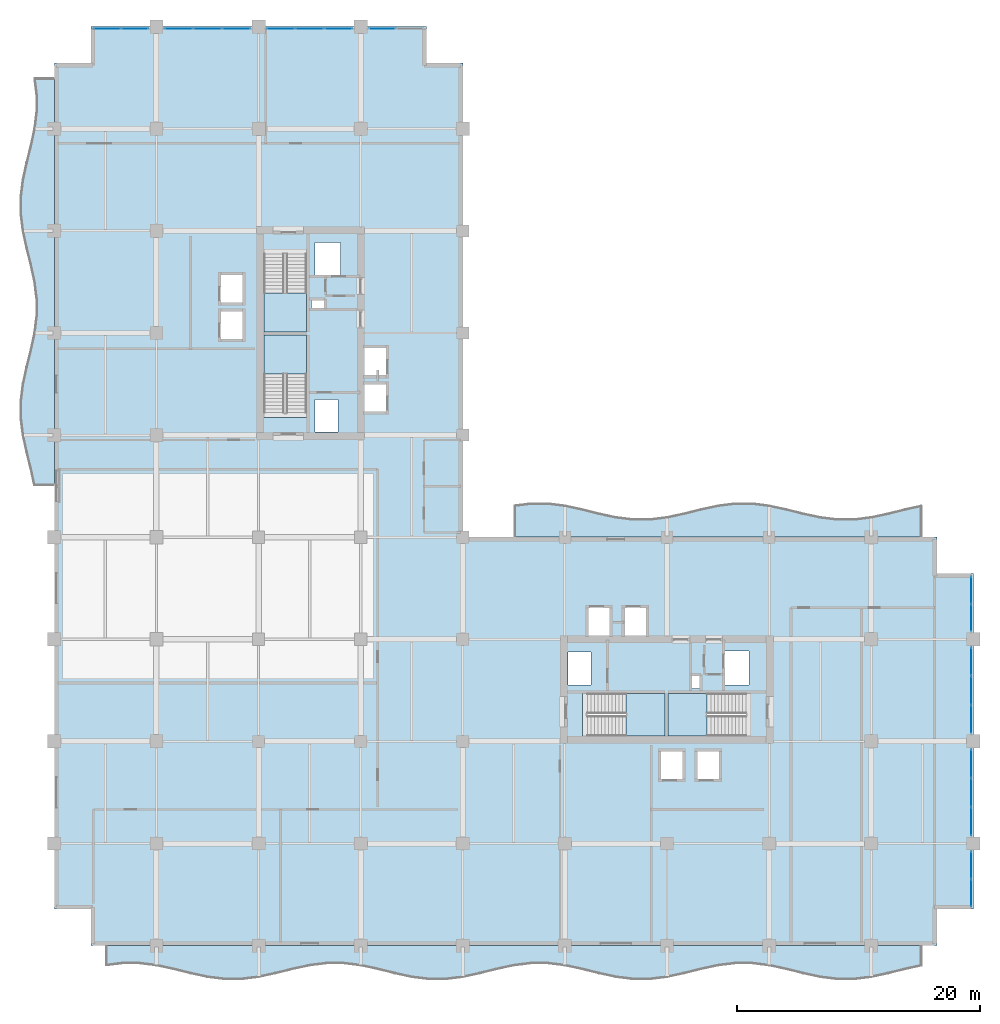
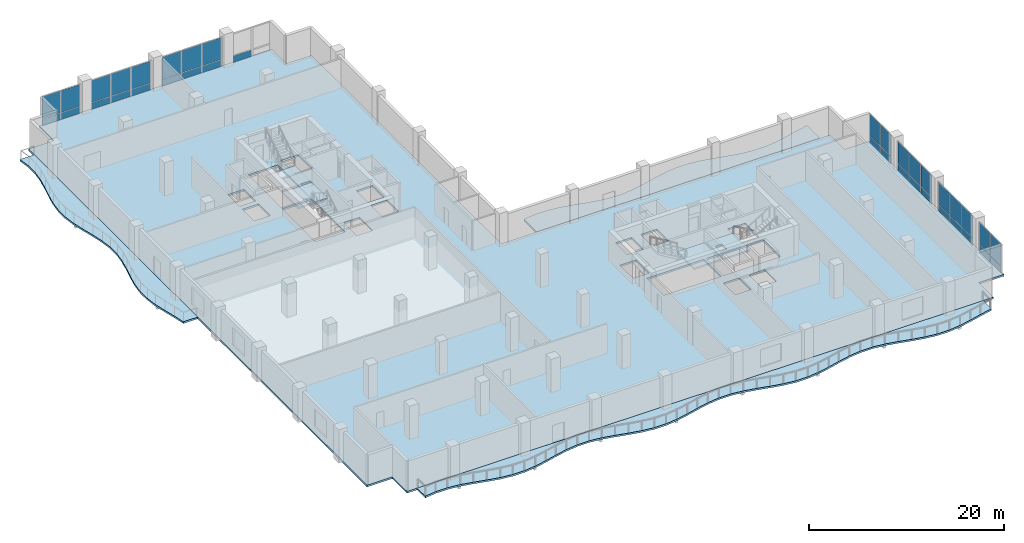
# One storey, part 9 of 21: 37 plates, 8 slabs, 12 elements without a shape of their own.
"""IFC4 building model written with IfcOpenShell, lengths in metres."""

from ifc_helpers import new_model, si_unit, direction, frame, origin, origin_2d, place, context, subcontext, project, spatial, polyline, rectangle, outline, extrude, material, layer, layer_set, type_object, element, aggregate, save


model = new_model("IFC4")

# Units and contexts
model_context = context("Model", 3, precision=1e-05, world=origin(), true_north=direction((0.0, 1.0)))
body_context = subcontext(model_context, "Body", "Model", "MODEL_VIEW")
ifc_project = project(units=[si_unit("LENGTHUNIT", "METRE"), si_unit("AREAUNIT", "SQUARE_METRE"), si_unit("VOLUMEUNIT", "CUBIC_METRE"), si_unit("PLANEANGLEUNIT", "RADIAN"), si_unit("MASSUNIT", "GRAM", prefix="KILO")], contexts=[model_context])

# Site, building, storey
site_placement = place(None, origin())
site = spatial("IfcSite", under=ifc_project, at=site_placement, CompositionType="ELEMENT")
building_placement = place(site_placement, origin())
building = spatial("IfcBuilding", under=site, at=building_placement, Name="Koriwani Terraces Tower", CompositionType="ELEMENT")
storey_placement = place(building_placement, frame((0.0, 0.0, 224.0)))
storey = spatial("IfcBuildingStorey", under=building, at=storey_placement, Name="L55", CompositionType="ELEMENT", Elevation=224.0)

# Curtain wall, plates
ifc_material_1 = material(Name="Anodised Bronze Aluminium", Category="aluminium")
ifc_layer_1 = layer(ifc_material_1, 0.219970703125, Name="Anodised Bronze Aluminium")
ifc_layer_set_1 = layer_set([ifc_layer_1], Name="Anodised Bronze Aluminium")
curtain_wall_type = type_object("IfcCurtainWallType", Name="CW_SKY_LOUNGE", PredefinedType="NOTDEFINED", material=ifc_layer_set_1)
curtain_wall_1_placement = place(storey_placement, origin())
curtain_wall_1 = element("IfcCurtainWall", 1, at=curtain_wall_1_placement, inside=storey, type_object=curtain_wall_type, Name="L55 Unitised Curtain Wall (N_TIP) Bay 1", PredefinedType="NOTDEFINED")
ifc_material_2 = material(Name="Tempered Laminated Low-E Glass", Category="glass")
ifc_layer_2 = layer(ifc_material_2, 0.028076171875, Name="Tempered Laminated Low-E Glass")
ifc_layer_set_2 = layer_set([ifc_layer_2], Name="Tempered Laminated Low-E Glass")
plate_type = type_object("IfcPlateType", Name="CW_PANEL_VISION_28", PredefinedType="CURTAIN_PANEL", material=ifc_layer_set_2)
plate_1_placement = place(storey_placement, frame((4.35009765625, 75.425048828125, 0.06494140625), z_axis=(0.0, 0.0, 1.0), x_axis=(1.0, 0.0, 0.0)))
plate_1 = element("IfcPlate", 2, at=plate_1_placement, type_object=plate_type, Name="CW-SKY panel 1.1", PredefinedType="CURTAIN_PANEL", context=body_context, shape_type="SweptSolid", body=[
    extrude(rectangle(XDim=2.179931640625, YDim=0.028076171875, at=origin_2d()), origin(), (0.0, 0.0, 1.0), 0.802490234375),
])
plate_2_placement = place(storey_placement, frame((4.35009765625, 75.425048828125, 0.9326171875), z_axis=(0.0, 0.0, 1.0), x_axis=(1.0, 0.0, 0.0)))
plate_2 = element("IfcPlate", 3, at=plate_2_placement, type_object=plate_type, Name="CW-SKY panel 1.2", PredefinedType="CURTAIN_PANEL", context=body_context, shape_type="SweptSolid", body=[
    extrude(rectangle(XDim=2.179931640625, YDim=0.028076171875, at=origin_2d()), origin(), (0.0, 0.0, 1.0), 2.75244140625),
])
plate_3_placement = place(storey_placement, frame((6.614990234375, 75.425048828125, 0.06494140625), z_axis=(0.0, 0.0, 1.0), x_axis=(1.0, 0.0, 0.0)))
plate_3 = element("IfcPlate", 4, at=plate_3_placement, type_object=plate_type, Name="CW-SKY panel 2.1", PredefinedType="CURTAIN_PANEL", context=body_context, shape_type="SweptSolid", body=[
    extrude(rectangle(XDim=2.179931640625, YDim=0.028076171875, at=origin_2d()), origin(), (0.0, 0.0, 1.0), 0.802490234375),
])
plate_4_placement = place(storey_placement, frame((6.614990234375, 75.425048828125, 0.9326171875), z_axis=(0.0, 0.0, 1.0), x_axis=(1.0, 0.0, 0.0)))
plate_4 = element("IfcPlate", 5, at=plate_4_placement, type_object=plate_type, Name="CW-SKY panel 2.2", PredefinedType="CURTAIN_PANEL", context=body_context, shape_type="SweptSolid", body=[
    extrude(rectangle(XDim=2.179931640625, YDim=0.028076171875, at=origin_2d()), origin(), (0.0, 0.0, 1.0), 2.75244140625),
])
aggregate(curtain_wall_1, [plate_1, plate_2, plate_3, plate_4])

curtain_wall_2_placement = place(storey_placement, origin())
curtain_wall_2 = element("IfcCurtainWall", 6, at=curtain_wall_2_placement, inside=storey, type_object=curtain_wall_type, Name="L55 Unitised Curtain Wall (N_TIP) Bay 2", PredefinedType="NOTDEFINED")
plate_5_placement = place(storey_placement, frame((10.22802734375, 75.425048828125, 0.06494140625), z_axis=(0.0, 0.0, 1.0), x_axis=(1.0, 0.0, 0.0)))
plate_5 = element("IfcPlate", 7, at=plate_5_placement, type_object=plate_type, Name="CW-SKY panel 1.1", PredefinedType="CURTAIN_PANEL", context=body_context, shape_type="SweptSolid", body=[
    extrude(rectangle(XDim=2.265869140625, YDim=0.028076171875, at=origin_2d()), origin(), (0.0, 0.0, 1.0), 0.802490234375),
])
plate_6_placement = place(storey_placement, frame((10.22802734375, 75.425048828125, 0.9326171875), z_axis=(0.0, 0.0, 1.0), x_axis=(1.0, 0.0, 0.0)))
plate_6 = element("IfcPlate", 8, at=plate_6_placement, type_object=plate_type, Name="CW-SKY panel 1.2", PredefinedType="CURTAIN_PANEL", context=body_context, shape_type="SweptSolid", body=[
    extrude(rectangle(XDim=2.265869140625, YDim=0.028076171875, at=origin_2d()), origin(), (0.0, 0.0, 1.0), 2.75244140625),
])
plate_7_placement = place(storey_placement, frame((12.60009765625, 75.425048828125, 0.06494140625), z_axis=(0.0, 0.0, 1.0), x_axis=(1.0, 0.0, 0.0)))
plate_7 = element("IfcPlate", 9, at=plate_7_placement, type_object=plate_type, Name="CW-SKY panel 2.1", PredefinedType="CURTAIN_PANEL", context=body_context, shape_type="SweptSolid", body=[
    extrude(rectangle(XDim=2.308349609375, YDim=0.028076171875, at=origin_2d()), origin(), (0.0, 0.0, 1.0), 0.802490234375),
])
plate_8_placement = place(storey_placement, frame((12.60009765625, 75.425048828125, 0.9326171875), z_axis=(0.0, 0.0, 1.0), x_axis=(1.0, 0.0, 0.0)))
plate_8 = element("IfcPlate", 10, at=plate_8_placement, type_object=plate_type, Name="CW-SKY panel 2.2", PredefinedType="CURTAIN_PANEL", context=body_context, shape_type="SweptSolid", body=[
    extrude(rectangle(XDim=2.308349609375, YDim=0.028076171875, at=origin_2d()), origin(), (0.0, 0.0, 1.0), 2.75244140625),
])
plate_9_placement = place(storey_placement, frame((14.97216796875, 75.425048828125, 0.06494140625), z_axis=(0.0, 0.0, 1.0), x_axis=(1.0, 0.0, 0.0)))
plate_9 = element("IfcPlate", 11, at=plate_9_placement, type_object=plate_type, Name="CW-SKY panel 3.1", PredefinedType="CURTAIN_PANEL", context=body_context, shape_type="SweptSolid", body=[
    extrude(rectangle(XDim=2.265869140625, YDim=0.028076171875, at=origin_2d()), origin(), (0.0, 0.0, 1.0), 0.802490234375),
])
plate_10_placement = place(storey_placement, frame((14.97216796875, 75.425048828125, 0.9326171875), z_axis=(0.0, 0.0, 1.0), x_axis=(1.0, 0.0, 0.0)))
plate_10 = element("IfcPlate", 12, at=plate_10_placement, type_object=plate_type, Name="CW-SKY panel 3.2", PredefinedType="CURTAIN_PANEL", context=body_context, shape_type="SweptSolid", body=[
    extrude(rectangle(XDim=2.265869140625, YDim=0.028076171875, at=origin_2d()), origin(), (0.0, 0.0, 1.0), 2.75244140625),
])
aggregate(curtain_wall_2, [plate_5, plate_6, plate_7, plate_8, plate_9, plate_10])

curtain_wall_3_placement = place(storey_placement, origin())
curtain_wall_3 = element("IfcCurtainWall", 13, at=curtain_wall_3_placement, inside=storey, type_object=curtain_wall_type, Name="L55 Unitised Curtain Wall (N_TIP) Bay 3", PredefinedType="NOTDEFINED")
plate_11_placement = place(storey_placement, frame((18.6279296875, 75.425048828125, 0.06494140625), z_axis=(0.0, 0.0, 1.0), x_axis=(1.0, 0.0, 0.0)))
plate_11 = element("IfcPlate", 14, at=plate_11_placement, type_object=plate_type, Name="CW-SKY panel 1.1", PredefinedType="CURTAIN_PANEL", context=body_context, shape_type="SweptSolid", body=[
    extrude(rectangle(XDim=2.265869140625, YDim=0.028076171875, at=origin_2d()), origin(), (0.0, 0.0, 1.0), 0.802490234375),
])
plate_12_placement = place(storey_placement, frame((18.6279296875, 75.425048828125, 0.9326171875), z_axis=(0.0, 0.0, 1.0), x_axis=(1.0, 0.0, 0.0)))
plate_12 = element("IfcPlate", 15, at=plate_12_placement, type_object=plate_type, Name="CW-SKY panel 1.2", PredefinedType="CURTAIN_PANEL", context=body_context, shape_type="SweptSolid", body=[
    extrude(rectangle(XDim=2.265869140625, YDim=0.028076171875, at=origin_2d()), origin(), (0.0, 0.0, 1.0), 2.75244140625),
])
plate_13_placement = place(storey_placement, frame((21.0, 75.425048828125, 0.06494140625), z_axis=(0.0, 0.0, 1.0), x_axis=(1.0, 0.0, 0.0)))
plate_13 = element("IfcPlate", 16, at=plate_13_placement, type_object=plate_type, Name="CW-SKY panel 2.1", PredefinedType="CURTAIN_PANEL", context=body_context, shape_type="SweptSolid", body=[
    extrude(rectangle(XDim=2.308349609375, YDim=0.028076171875, at=origin_2d()), origin(), (0.0, 0.0, 1.0), 0.802490234375),
])
plate_14_placement = place(storey_placement, frame((21.0, 75.425048828125, 0.9326171875), z_axis=(0.0, 0.0, 1.0), x_axis=(1.0, 0.0, 0.0)))
plate_14 = element("IfcPlate", 17, at=plate_14_placement, type_object=plate_type, Name="CW-SKY panel 2.2", PredefinedType="CURTAIN_PANEL", context=body_context, shape_type="SweptSolid", body=[
    extrude(rectangle(XDim=2.308349609375, YDim=0.028076171875, at=origin_2d()), origin(), (0.0, 0.0, 1.0), 2.75244140625),
])
plate_15_placement = place(storey_placement, frame((23.3720703125, 75.425048828125, 0.06494140625), z_axis=(0.0, 0.0, 1.0), x_axis=(1.0, 0.0, 0.0)))
plate_15 = element("IfcPlate", 18, at=plate_15_placement, type_object=plate_type, Name="CW-SKY panel 3.1", PredefinedType="CURTAIN_PANEL", context=body_context, shape_type="SweptSolid", body=[
    extrude(rectangle(XDim=2.265869140625, YDim=0.028076171875, at=origin_2d()), origin(), (0.0, 0.0, 1.0), 0.802490234375),
])
plate_16_placement = place(storey_placement, frame((23.3720703125, 75.425048828125, 0.9326171875), z_axis=(0.0, 0.0, 1.0), x_axis=(1.0, 0.0, 0.0)))
plate_16 = element("IfcPlate", 19, at=plate_16_placement, type_object=plate_type, Name="CW-SKY panel 3.2", PredefinedType="CURTAIN_PANEL", context=body_context, shape_type="SweptSolid", body=[
    extrude(rectangle(XDim=2.265869140625, YDim=0.028076171875, at=origin_2d()), origin(), (0.0, 0.0, 1.0), 2.75244140625),
])
aggregate(curtain_wall_3, [plate_11, plate_12, plate_13, plate_14, plate_15, plate_16])

# Curtain wall, plate
curtain_wall_4_placement = place(storey_placement, origin())
curtain_wall_4 = element("IfcCurtainWall", 20, at=curtain_wall_4_placement, inside=storey, type_object=curtain_wall_type, Name="L55 Unitised Curtain Wall (N_TIP) Bay 4", PredefinedType="NOTDEFINED")
plate_17_placement = place(storey_placement, frame((26.985107421875, 75.425048828125, 0.06494140625), z_axis=(0.0, 0.0, 1.0), x_axis=(1.0, 0.0, 0.0)))
plate_17 = element("IfcPlate", 21, at=plate_17_placement, type_object=plate_type, Name="CW-SKY panel 1.1", PredefinedType="CURTAIN_PANEL", context=body_context, shape_type="SweptSolid", body=[
    extrude(rectangle(XDim=2.179931640625, YDim=0.028076171875, at=origin_2d()), origin(), (0.0, 0.0, 1.0), 0.802490234375),
])
aggregate(curtain_wall_4, [plate_17])

# Curtain wall, plates
curtain_wall_5_placement = place(storey_placement, origin())
curtain_wall_5 = element("IfcCurtainWall", 22, at=curtain_wall_5_placement, inside=storey, type_object=curtain_wall_type, Name="L55 Unitised Curtain Wall (E_TIP) Bay 1", PredefinedType="NOTDEFINED")
plate_18_placement = place(storey_placement, frame((75.425048828125, 29.25, 0.06494140625), z_axis=(0.0, 0.0, 1.0), x_axis=(0.0, -1.0, 0.0)))
plate_18 = element("IfcPlate", 23, at=plate_18_placement, type_object=plate_type, Name="CW-SKY panel 1.1", PredefinedType="CURTAIN_PANEL", context=body_context, shape_type="SweptSolid", body=[
    extrude(rectangle(XDim=2.179931640625, YDim=0.028076171875, at=origin_2d()), origin(), (0.0, 0.0, 1.0), 0.802490234375),
])
plate_19_placement = place(storey_placement, frame((75.425048828125, 29.25, 0.9326171875), z_axis=(0.0, 0.0, 1.0), x_axis=(0.0, -1.0, 0.0)))
plate_19 = element("IfcPlate", 24, at=plate_19_placement, type_object=plate_type, Name="CW-SKY panel 1.2", PredefinedType="CURTAIN_PANEL", context=body_context, shape_type="SweptSolid", body=[
    extrude(rectangle(XDim=2.179931640625, YDim=0.028076171875, at=origin_2d()), origin(), (0.0, 0.0, 1.0), 2.75244140625),
])
plate_20_placement = place(storey_placement, frame((75.425048828125, 26.985107421875, 0.06494140625), z_axis=(0.0, 0.0, 1.0), x_axis=(0.0, -1.0, 0.0)))
plate_20 = element("IfcPlate", 25, at=plate_20_placement, type_object=plate_type, Name="CW-SKY panel 2.1", PredefinedType="CURTAIN_PANEL", context=body_context, shape_type="SweptSolid", body=[
    extrude(rectangle(XDim=2.179931640625, YDim=0.028076171875, at=origin_2d()), origin(), (0.0, 0.0, 1.0), 0.802490234375),
])
plate_21_placement = place(storey_placement, frame((75.425048828125, 26.985107421875, 0.9326171875), z_axis=(0.0, 0.0, 1.0), x_axis=(0.0, -1.0, 0.0)))
plate_21 = element("IfcPlate", 26, at=plate_21_placement, type_object=plate_type, Name="CW-SKY panel 2.2", PredefinedType="CURTAIN_PANEL", context=body_context, shape_type="SweptSolid", body=[
    extrude(rectangle(XDim=2.179931640625, YDim=0.028076171875, at=origin_2d()), origin(), (0.0, 0.0, 1.0), 2.75244140625),
])
aggregate(curtain_wall_5, [plate_18, plate_19, plate_20, plate_21])

curtain_wall_6_placement = place(storey_placement, origin())
curtain_wall_6 = element("IfcCurtainWall", 27, at=curtain_wall_6_placement, inside=storey, type_object=curtain_wall_type, Name="L55 Unitised Curtain Wall (E_TIP) Bay 2", PredefinedType="NOTDEFINED")
plate_22_placement = place(storey_placement, frame((75.425048828125, 23.3720703125, 0.06494140625), z_axis=(0.0, 0.0, 1.0), x_axis=(0.0, -1.0, 0.0)))
plate_22 = element("IfcPlate", 28, at=plate_22_placement, type_object=plate_type, Name="CW-SKY panel 1.1", PredefinedType="CURTAIN_PANEL", context=body_context, shape_type="SweptSolid", body=[
    extrude(rectangle(XDim=2.265869140625, YDim=0.028076171875, at=origin_2d()), origin(), (0.0, 0.0, 1.0), 0.802490234375),
])
plate_23_placement = place(storey_placement, frame((75.425048828125, 23.3720703125, 0.9326171875), z_axis=(0.0, 0.0, 1.0), x_axis=(0.0, -1.0, 0.0)))
plate_23 = element("IfcPlate", 29, at=plate_23_placement, type_object=plate_type, Name="CW-SKY panel 1.2", PredefinedType="CURTAIN_PANEL", context=body_context, shape_type="SweptSolid", body=[
    extrude(rectangle(XDim=2.265869140625, YDim=0.028076171875, at=origin_2d()), origin(), (0.0, 0.0, 1.0), 2.75244140625),
])
plate_24_placement = place(storey_placement, frame((75.425048828125, 21.0, 0.06494140625), z_axis=(0.0, 0.0, 1.0), x_axis=(0.0, -1.0, 0.0)))
plate_24 = element("IfcPlate", 30, at=plate_24_placement, type_object=plate_type, Name="CW-SKY panel 2.1", PredefinedType="CURTAIN_PANEL", context=body_context, shape_type="SweptSolid", body=[
    extrude(rectangle(XDim=2.308349609375, YDim=0.028076171875, at=origin_2d()), origin(), (0.0, 0.0, 1.0), 0.802490234375),
])
plate_25_placement = place(storey_placement, frame((75.425048828125, 21.0, 0.9326171875), z_axis=(0.0, 0.0, 1.0), x_axis=(0.0, -1.0, 0.0)))
plate_25 = element("IfcPlate", 31, at=plate_25_placement, type_object=plate_type, Name="CW-SKY panel 2.2", PredefinedType="CURTAIN_PANEL", context=body_context, shape_type="SweptSolid", body=[
    extrude(rectangle(XDim=2.308349609375, YDim=0.028076171875, at=origin_2d()), origin(), (0.0, 0.0, 1.0), 2.75244140625),
])
plate_26_placement = place(storey_placement, frame((75.425048828125, 18.6279296875, 0.06494140625), z_axis=(0.0, 0.0, 1.0), x_axis=(0.0, -1.0, 0.0)))
plate_26 = element("IfcPlate", 32, at=plate_26_placement, type_object=plate_type, Name="CW-SKY panel 3.1", PredefinedType="CURTAIN_PANEL", context=body_context, shape_type="SweptSolid", body=[
    extrude(rectangle(XDim=2.265869140625, YDim=0.028076171875, at=origin_2d()), origin(), (0.0, 0.0, 1.0), 0.802490234375),
])
plate_27_placement = place(storey_placement, frame((75.425048828125, 18.6279296875, 0.9326171875), z_axis=(0.0, 0.0, 1.0), x_axis=(0.0, -1.0, 0.0)))
plate_27 = element("IfcPlate", 33, at=plate_27_placement, type_object=plate_type, Name="CW-SKY panel 3.2", PredefinedType="CURTAIN_PANEL", context=body_context, shape_type="SweptSolid", body=[
    extrude(rectangle(XDim=2.265869140625, YDim=0.028076171875, at=origin_2d()), origin(), (0.0, 0.0, 1.0), 2.75244140625),
])
aggregate(curtain_wall_6, [plate_22, plate_23, plate_24, plate_25, plate_26, plate_27])

curtain_wall_7_placement = place(storey_placement, origin())
curtain_wall_7 = element("IfcCurtainWall", 34, at=curtain_wall_7_placement, inside=storey, type_object=curtain_wall_type, Name="L55 Unitised Curtain Wall (E_TIP) Bay 3", PredefinedType="NOTDEFINED")
plate_28_placement = place(storey_placement, frame((75.425048828125, 14.97216796875, 0.06494140625), z_axis=(0.0, 0.0, 1.0), x_axis=(0.0, -1.0, 0.0)))
plate_28 = element("IfcPlate", 35, at=plate_28_placement, type_object=plate_type, Name="CW-SKY panel 1.1", PredefinedType="CURTAIN_PANEL", context=body_context, shape_type="SweptSolid", body=[
    extrude(rectangle(XDim=2.265869140625, YDim=0.028076171875, at=origin_2d()), origin(), (0.0, 0.0, 1.0), 0.802490234375),
])
plate_29_placement = place(storey_placement, frame((75.425048828125, 14.97216796875, 0.9326171875), z_axis=(0.0, 0.0, 1.0), x_axis=(0.0, -1.0, 0.0)))
plate_29 = element("IfcPlate", 36, at=plate_29_placement, type_object=plate_type, Name="CW-SKY panel 1.2", PredefinedType="CURTAIN_PANEL", context=body_context, shape_type="SweptSolid", body=[
    extrude(rectangle(XDim=2.265869140625, YDim=0.028076171875, at=origin_2d()), origin(), (0.0, 0.0, 1.0), 2.75244140625),
])
plate_30_placement = place(storey_placement, frame((75.425048828125, 12.60009765625, 0.06494140625), z_axis=(0.0, 0.0, 1.0), x_axis=(0.0, -1.0, 0.0)))
plate_30 = element("IfcPlate", 37, at=plate_30_placement, type_object=plate_type, Name="CW-SKY panel 2.1", PredefinedType="CURTAIN_PANEL", context=body_context, shape_type="SweptSolid", body=[
    extrude(rectangle(XDim=2.308349609375, YDim=0.028076171875, at=origin_2d()), origin(), (0.0, 0.0, 1.0), 0.802490234375),
])
plate_31_placement = place(storey_placement, frame((75.425048828125, 12.60009765625, 0.9326171875), z_axis=(0.0, 0.0, 1.0), x_axis=(0.0, -1.0, 0.0)))
plate_31 = element("IfcPlate", 38, at=plate_31_placement, type_object=plate_type, Name="CW-SKY panel 2.2", PredefinedType="CURTAIN_PANEL", context=body_context, shape_type="SweptSolid", body=[
    extrude(rectangle(XDim=2.308349609375, YDim=0.028076171875, at=origin_2d()), origin(), (0.0, 0.0, 1.0), 2.75244140625),
])
plate_32_placement = place(storey_placement, frame((75.425048828125, 10.22802734375, 0.06494140625), z_axis=(0.0, 0.0, 1.0), x_axis=(0.0, -1.0, 0.0)))
plate_32 = element("IfcPlate", 39, at=plate_32_placement, type_object=plate_type, Name="CW-SKY panel 3.1", PredefinedType="CURTAIN_PANEL", context=body_context, shape_type="SweptSolid", body=[
    extrude(rectangle(XDim=2.265869140625, YDim=0.028076171875, at=origin_2d()), origin(), (0.0, 0.0, 1.0), 0.802490234375),
])
plate_33_placement = place(storey_placement, frame((75.425048828125, 10.22802734375, 0.9326171875), z_axis=(0.0, 0.0, 1.0), x_axis=(0.0, -1.0, 0.0)))
plate_33 = element("IfcPlate", 40, at=plate_33_placement, type_object=plate_type, Name="CW-SKY panel 3.2", PredefinedType="CURTAIN_PANEL", context=body_context, shape_type="SweptSolid", body=[
    extrude(rectangle(XDim=2.265869140625, YDim=0.028076171875, at=origin_2d()), origin(), (0.0, 0.0, 1.0), 2.75244140625),
])
aggregate(curtain_wall_7, [plate_28, plate_29, plate_30, plate_31, plate_32, plate_33])

curtain_wall_8_placement = place(storey_placement, origin())
curtain_wall_8 = element("IfcCurtainWall", 41, at=curtain_wall_8_placement, inside=storey, type_object=curtain_wall_type, Name="L55 Unitised Curtain Wall (E_TIP) Bay 4", PredefinedType="NOTDEFINED")
plate_34_placement = place(storey_placement, frame((75.425048828125, 6.614990234375, 0.06494140625), z_axis=(0.0, 0.0, 1.0), x_axis=(0.0, -1.0, 0.0)))
plate_34 = element("IfcPlate", 42, at=plate_34_placement, type_object=plate_type, Name="CW-SKY panel 1.1", PredefinedType="CURTAIN_PANEL", context=body_context, shape_type="SweptSolid", body=[
    extrude(rectangle(XDim=2.179931640625, YDim=0.028076171875, at=origin_2d()), origin(), (0.0, 0.0, 1.0), 0.802490234375),
])
plate_35_placement = place(storey_placement, frame((75.425048828125, 6.614990234375, 0.9326171875), z_axis=(0.0, 0.0, 1.0), x_axis=(0.0, -1.0, 0.0)))
plate_35 = element("IfcPlate", 43, at=plate_35_placement, type_object=plate_type, Name="CW-SKY panel 1.2", PredefinedType="CURTAIN_PANEL", context=body_context, shape_type="SweptSolid", body=[
    extrude(rectangle(XDim=2.179931640625, YDim=0.028076171875, at=origin_2d()), origin(), (0.0, 0.0, 1.0), 2.75244140625),
])
plate_36_placement = place(storey_placement, frame((75.425048828125, 4.35009765625, 0.06494140625), z_axis=(0.0, 0.0, 1.0), x_axis=(0.0, -1.0, 0.0)))
plate_36 = element("IfcPlate", 44, at=plate_36_placement, type_object=plate_type, Name="CW-SKY panel 2.1", PredefinedType="CURTAIN_PANEL", context=body_context, shape_type="SweptSolid", body=[
    extrude(rectangle(XDim=2.179931640625, YDim=0.028076171875, at=origin_2d()), origin(), (0.0, 0.0, 1.0), 0.802490234375),
])
plate_37_placement = place(storey_placement, frame((75.425048828125, 4.35009765625, 0.9326171875), z_axis=(0.0, 0.0, 1.0), x_axis=(0.0, -1.0, 0.0)))
plate_37 = element("IfcPlate", 45, at=plate_37_placement, type_object=plate_type, Name="CW-SKY panel 2.2", PredefinedType="CURTAIN_PANEL", context=body_context, shape_type="SweptSolid", body=[
    extrude(rectangle(XDim=2.179931640625, YDim=0.028076171875, at=origin_2d()), origin(), (0.0, 0.0, 1.0), 2.75244140625),
])
aggregate(curtain_wall_8, [plate_34, plate_35, plate_36, plate_37])

# Slabs
ifc_material_3 = material(Name="Concrete C40/50", Category="concrete")
ifc_layer_3 = layer(ifc_material_3, 0.219970703125, Name="Concrete C40/50")
ifc_layer_set_3 = layer_set([ifc_layer_3], Name="Concrete C40/50")
slab_type_1 = type_object("IfcSlabType", Name="SLAB_BALCONY_220", PredefinedType="FLOOR", material=ifc_layer_set_3)
slab_1_placement = place(storey_placement, frame((0.0, 0.0, -0.219970703125)))
element("IfcSlab", 46, at=slab_1_placement, inside=storey, type_object=slab_type_1, Name="L55 Quilted Circular-Arc Balcony (S)", PredefinedType="FLOOR", context=body_context, shape_type="SweptSolid", body=[
    extrude(outline(polyline([(4.199951171875, 0.0), (5.60009765625, 0.0), (7.0, 0.0), (8.39990234375, 0.0), (9.800048828125, 0.0), (11.199951171875, 0.0), (12.60009765625, 0.0), (14.0, 0.0), (15.39990234375, 0.0), (16.800048828125, 0.0), (18.199951171875, 0.0), (19.60009765625, 0.0), (21.0, 0.0), (22.39990234375, 0.0), (23.800048828125, 0.0), (25.199951171875, 0.0), (26.60009765625, 0.0), (28.0, 0.0), (29.39990234375, 0.0), (30.800048828125, 0.0), (32.199951171875, 0.0), (33.60009765625, 0.0), (35.0, 0.0), (36.39990234375, 0.0), (37.800048828125, 0.0), (39.199951171875, 0.0), (40.60009765625, 0.0), (42.0, 0.0), (43.39990234375, 0.0), (44.800048828125, 0.0), (46.199951171875, 0.0), (47.60009765625, 0.0), (49.0, 0.0), (50.39990234375, 0.0), (51.800048828125, 0.0), (53.199951171875, 0.0), (54.60009765625, 0.0), (56.0, 0.0), (57.39990234375, 0.0), (58.800048828125, 0.0), (60.199951171875, 0.0), (61.60009765625, 0.0), (63.0, 0.0), (64.39990234375, 0.0), (65.800048828125, 0.0), (67.199951171875, 0.0), (68.60009765625, 0.0), (70.0, 0.0), (71.39990234375, 0.0), (71.39990234375, -1.69775390625), (70.0, -2.000244140625), (68.60009765625, -2.349609375), (67.199951171875, -2.65234375), (65.800048828125, -2.826904296875), (64.39990234375, -2.826904296875), (63.0, -2.65234375), (61.60009765625, -2.349609375), (60.199951171875, -2.000244140625), (58.800048828125, -1.69775390625), (57.39990234375, -1.52294921875), (56.0, -1.52294921875), (54.60009765625, -1.69775390625), (53.199951171875, -2.000244140625), (51.800048828125, -2.349609375), (50.39990234375, -2.65234375), (49.0, -2.826904296875), (47.60009765625, -2.826904296875), (46.199951171875, -2.65234375), (44.800048828125, -2.349609375), (43.39990234375, -2.000244140625), (42.0, -1.69775390625), (40.60009765625, -1.52294921875), (39.199951171875, -1.52294921875), (37.800048828125, -1.69775390625), (36.39990234375, -2.000244140625), (35.0, -2.349609375), (33.60009765625, -2.65234375), (32.199951171875, -2.826904296875), (30.800048828125, -2.826904296875), (29.39990234375, -2.65234375), (28.0, -2.349609375), (26.60009765625, -2.000244140625), (25.199951171875, -1.69775390625), (23.800048828125, -1.52294921875), (22.39990234375, -1.52294921875), (21.0, -1.69775390625), (19.60009765625, -2.000244140625), (18.199951171875, -2.349609375), (16.800048828125, -2.65234375), (15.39990234375, -2.826904296875), (14.0, -2.826904296875), (12.60009765625, -2.65234375), (11.199951171875, -2.349609375), (9.800048828125, -2.000244140625), (8.39990234375, -1.69775390625), (7.0, -1.52294921875), (5.60009765625, -1.52294921875), (4.199951171875, -1.69775390625), (4.199951171875, 0.0)])), origin(), (0.0, 0.0, 1.0), 0.219970703125),
])
slab_2_placement = place(storey_placement, frame((0.0, 0.0, -0.219970703125)))
element("IfcSlab", 47, at=slab_2_placement, inside=storey, type_object=slab_type_1, Name="L55 Quilted Circular-Arc Balcony (W)", PredefinedType="FLOOR", context=body_context, shape_type="SweptSolid", body=[
    extrude(outline(polyline([(0.0, 37.800048828125), (0.0, 39.199951171875), (0.0, 40.60009765625), (0.0, 42.0), (0.0, 43.39990234375), (0.0, 44.800048828125), (0.0, 46.199951171875), (0.0, 47.60009765625), (0.0, 49.0), (0.0, 50.39990234375), (0.0, 51.800048828125), (0.0, 53.199951171875), (0.0, 54.60009765625), (0.0, 56.0), (0.0, 57.39990234375), (0.0, 58.800048828125), (0.0, 60.199951171875), (0.0, 61.60009765625), (0.0, 63.0), (0.0, 64.39990234375), (0.0, 65.800048828125), (0.0, 67.199951171875), (0.0, 68.60009765625), (0.0, 70.0), (0.0, 71.39990234375), (-1.69775390625, 71.39990234375), (-1.52294921875, 70.0), (-1.52294921875, 68.60009765625), (-1.69775390625, 67.199951171875), (-2.000244140625, 65.800048828125), (-2.349609375, 64.39990234375), (-2.65234375, 63.0), (-2.826904296875, 61.60009765625), (-2.826904296875, 60.199951171875), (-2.65234375, 58.800048828125), (-2.349609375, 57.39990234375), (-2.000244140625, 56.0), (-1.69775390625, 54.60009765625), (-1.52294921875, 53.199951171875), (-1.52294921875, 51.800048828125), (-1.69775390625, 50.39990234375), (-2.000244140625, 49.0), (-2.349609375, 47.60009765625), (-2.65234375, 46.199951171875), (-2.826904296875, 44.800048828125), (-2.826904296875, 43.39990234375), (-2.65234375, 42.0), (-2.349609375, 40.60009765625), (-2.000244140625, 39.199951171875), (-1.69775390625, 37.800048828125), (0.0, 37.800048828125)])), origin(), (0.0, 0.0, 1.0), 0.219970703125),
])
slab_3_placement = place(storey_placement, frame((0.0, 0.0, -0.219970703125)))
element("IfcSlab", 48, at=slab_3_placement, inside=storey, type_object=slab_type_1, Name="L55 Quilted Circular-Arc Balcony (NE)", PredefinedType="FLOOR", context=body_context, shape_type="SweptSolid", body=[
    extrude(outline(polyline([(71.39990234375, 33.60009765625), (70.0, 33.60009765625), (68.60009765625, 33.60009765625), (67.199951171875, 33.60009765625), (65.800048828125, 33.60009765625), (64.39990234375, 33.60009765625), (63.0, 33.60009765625), (61.60009765625, 33.60009765625), (60.199951171875, 33.60009765625), (58.800048828125, 33.60009765625), (57.39990234375, 33.60009765625), (56.0, 33.60009765625), (54.60009765625, 33.60009765625), (53.199951171875, 33.60009765625), (51.800048828125, 33.60009765625), (50.39990234375, 33.60009765625), (49.0, 33.60009765625), (47.60009765625, 33.60009765625), (46.199951171875, 33.60009765625), (44.800048828125, 33.60009765625), (43.39990234375, 33.60009765625), (42.0, 33.60009765625), (40.60009765625, 33.60009765625), (39.199951171875, 33.60009765625), (37.800048828125, 33.60009765625), (37.800048828125, 36.252197265625), (39.199951171875, 36.427001953125), (40.60009765625, 36.427001953125), (42.0, 36.252197265625), (43.39990234375, 35.94970703125), (44.800048828125, 35.600341796875), (46.199951171875, 35.297607421875), (47.60009765625, 35.123046875), (49.0, 35.123046875), (50.39990234375, 35.297607421875), (51.800048828125, 35.600341796875), (53.199951171875, 35.94970703125), (54.60009765625, 36.252197265625), (56.0, 36.427001953125), (57.39990234375, 36.427001953125), (58.800048828125, 36.252197265625), (60.199951171875, 35.94970703125), (61.60009765625, 35.600341796875), (63.0, 35.297607421875), (64.39990234375, 35.123046875), (65.800048828125, 35.123046875), (67.199951171875, 35.297607421875), (68.60009765625, 35.600341796875), (70.0, 35.94970703125), (71.39990234375, 36.252197265625), (71.39990234375, 33.60009765625)])), origin(), (0.0, 0.0, 1.0), 0.219970703125),
])
ifc_layer_4 = layer(ifc_material_3, 0.22998046875, Name="Concrete C40/50")
ifc_layer_set_4 = layer_set([ifc_layer_4], Name="Concrete C40/50")
slab_type_2 = type_object("IfcSlabType", Name="SLAB_RES_TYP_230", PredefinedType="FLOOR", material=ifc_layer_set_4)
slab_4_placement = place(storey_placement, frame((0.0, 0.0, -0.22998046875)))
element("IfcSlab", 49, at=slab_4_placement, inside=storey, type_object=slab_type_2, Name="L55 Structural Floor Slab", PredefinedType="FLOOR", context=body_context, shape_type="SweptSolid", body=[
    extrude(outline(polyline([(3.0, 0.0), (72.60009765625, 0.0), (72.60009765625, 3.0), (75.60009765625, 3.0), (75.60009765625, 30.60009765625), (72.60009765625, 30.60009765625), (72.60009765625, 33.60009765625), (33.60009765625, 33.60009765625), (33.60009765625, 72.60009765625), (30.60009765625, 72.60009765625), (30.60009765625, 75.60009765625), (3.0, 75.60009765625), (3.0, 72.60009765625), (0.0, 72.60009765625), (0.0, 3.0), (3.0, 3.0), (3.0, 0.0)]), holes=[polyline([(17.25, 43.4599609375), (20.75, 43.4599609375), (20.75, 50.25), (17.25, 50.25), (17.25, 43.4599609375)]), polyline([(17.25, 50.5), (20.75, 50.5), (20.75, 57.2900390625), (17.25, 57.2900390625), (17.25, 50.5)]), polyline([(43.4599609375, 17.25), (50.25, 17.25), (50.25, 20.75), (43.4599609375, 20.75), (43.4599609375, 17.25)]), polyline([(50.5, 17.25), (57.2900390625, 17.25), (57.2900390625, 20.75), (50.5, 20.75), (50.5, 17.25)]), polyline([(13.64990234375, 49.85009765625), (15.550048828125, 49.85009765625), (15.550048828125, 52.25), (13.64990234375, 52.25), (13.64990234375, 49.85009765625)]), polyline([(13.64990234375, 52.85009765625), (15.550048828125, 52.85009765625), (15.550048828125, 55.25), (13.64990234375, 55.25), (13.64990234375, 52.85009765625)]), polyline([(49.85009765625, 13.64990234375), (51.75, 13.64990234375), (51.75, 16.050048828125), (49.85009765625, 16.050048828125), (49.85009765625, 13.64990234375)]), polyline([(52.85009765625, 13.64990234375), (54.75, 13.64990234375), (54.75, 16.050048828125), (52.85009765625, 16.050048828125), (52.85009765625, 13.64990234375)]), polyline([(25.449951171875, 43.85009765625), (27.35009765625, 43.85009765625), (27.35009765625, 46.25), (25.449951171875, 46.25), (25.449951171875, 43.85009765625)]), polyline([(25.449951171875, 46.85009765625), (27.35009765625, 46.85009765625), (27.35009765625, 49.25), (25.449951171875, 49.25), (25.449951171875, 46.85009765625)]), polyline([(43.85009765625, 25.449951171875), (45.75, 25.449951171875), (45.75, 27.85009765625), (43.85009765625, 27.85009765625), (43.85009765625, 25.449951171875)]), polyline([(46.85009765625, 25.449951171875), (48.75, 25.449951171875), (48.75, 27.85009765625), (46.85009765625, 27.85009765625), (46.85009765625, 25.449951171875)]), polyline([(21.449951171875, 55.050048828125), (23.550048828125, 55.050048828125), (23.550048828125, 57.85009765625), (21.449951171875, 57.85009765625), (21.449951171875, 55.050048828125)]), polyline([(55.050048828125, 21.449951171875), (57.14990234375, 21.449951171875), (57.14990234375, 24.25), (55.050048828125, 24.25), (55.050048828125, 21.449951171875)]), polyline([(21.449951171875, 42.25), (23.35009765625, 42.25), (23.35009765625, 44.949951171875), (21.449951171875, 44.949951171875), (21.449951171875, 42.25)]), polyline([(42.25, 21.449951171875), (44.14990234375, 21.449951171875), (44.14990234375, 24.14990234375), (42.25, 24.14990234375), (42.25, 21.449951171875)]), polyline([(21.14990234375, 52.419921875), (22.219970703125, 52.419921875), (22.219970703125, 53.179931640625), (21.14990234375, 53.179931640625), (21.14990234375, 52.419921875)]), polyline([(52.419921875, 21.14990234375), (53.179931640625, 21.14990234375), (53.179931640625, 22.219970703125), (52.419921875, 22.219970703125), (52.419921875, 21.14990234375)])]), origin(), (0.0, 0.0, 1.0), 0.22998046875),
])

# Stair, slab
stair_type = type_object("IfcStairType", Name="STAIR_CORE_DOGLEG_1650", PredefinedType="TWO_STRAIGHT_RUN_STAIR", material=ifc_material_3)
stair_1_placement = place(storey_placement, origin())
stair_1 = element("IfcStair", 50, at=stair_1_placement, inside=storey, type_object=stair_type, Name="L55 West Core Exit Stair 1", PredefinedType="HALF_TURN_STAIR")
ifc_layer_5 = layer(ifc_material_3, 0.199951171875, Name="Concrete C40/50")
ifc_layer_set_5 = layer_set([ifc_layer_5], Name="Concrete C40/50")
slab_type_3 = type_object("IfcSlabType", Name="SLAB_STAIR_LANDING_200", PredefinedType="LANDING", material=ifc_layer_set_5)
slab_5_placement = place(storey_placement, frame((0.0, 0.0, 1.89990234375)))
slab_5 = element("IfcSlab", 51, at=slab_5_placement, type_object=slab_type_3, Name="ST-W1 landing 1", PredefinedType="LANDING", context=body_context, shape_type="SweptSolid", body=[
    extrude(outline(polyline([(20.75, 47.0400390625), (20.75, 50.25), (17.25, 50.25), (17.25, 47.0400390625), (20.75, 47.0400390625)])), origin(), (0.0, 0.0, 1.0), 0.2001953125),
])
aggregate(stair_1, [slab_5])

stair_2_placement = place(storey_placement, origin())
stair_2 = element("IfcStair", 52, at=stair_2_placement, inside=storey, type_object=stair_type, Name="L55 West Core Exit Stair 2", PredefinedType="HALF_TURN_STAIR")
slab_6_placement = place(storey_placement, frame((0.0, 0.0, 1.89990234375)))
slab_6 = element("IfcSlab", 53, at=slab_6_placement, type_object=slab_type_3, Name="ST-W2 landing 1", PredefinedType="LANDING", context=body_context, shape_type="SweptSolid", body=[
    extrude(outline(polyline([(17.25, 53.7099609375), (17.25, 50.5), (20.75, 50.5), (20.75, 53.7099609375), (17.25, 53.7099609375)])), origin(), (0.0, 0.0, 1.0), 0.2001953125),
])
aggregate(stair_2, [slab_6])

stair_3_placement = place(storey_placement, origin())
stair_3 = element("IfcStair", 54, at=stair_3_placement, inside=storey, type_object=stair_type, Name="L55 East Core Exit Stair 1", PredefinedType="HALF_TURN_STAIR")
slab_7_placement = place(storey_placement, frame((0.0, 0.0, 1.89990234375)))
slab_7 = element("IfcSlab", 55, at=slab_7_placement, type_object=slab_type_3, Name="ST-E1 landing 1", PredefinedType="LANDING", context=body_context, shape_type="SweptSolid", body=[
    extrude(outline(polyline([(47.0400390625, 17.25), (50.25, 17.25), (50.25, 20.75), (47.0400390625, 20.75), (47.0400390625, 17.25)])), origin(), (0.0, 0.0, 1.0), 0.2001953125),
])
aggregate(stair_3, [slab_7])

stair_4_placement = place(storey_placement, origin())
stair_4 = element("IfcStair", 56, at=stair_4_placement, inside=storey, type_object=stair_type, Name="L55 East Core Exit Stair 2", PredefinedType="HALF_TURN_STAIR")
slab_8_placement = place(storey_placement, frame((0.0, 0.0, 1.89990234375)))
slab_8 = element("IfcSlab", 57, at=slab_8_placement, type_object=slab_type_3, Name="ST-E2 landing 1", PredefinedType="LANDING", context=body_context, shape_type="SweptSolid", body=[
    extrude(outline(polyline([(53.7099609375, 20.75), (50.5, 20.75), (50.5, 17.25), (53.7099609375, 17.25), (53.7099609375, 20.75)])), origin(), (0.0, 0.0, 1.0), 0.2001953125),
])
aggregate(stair_4, [slab_8])

save(model, "model.ifc")
